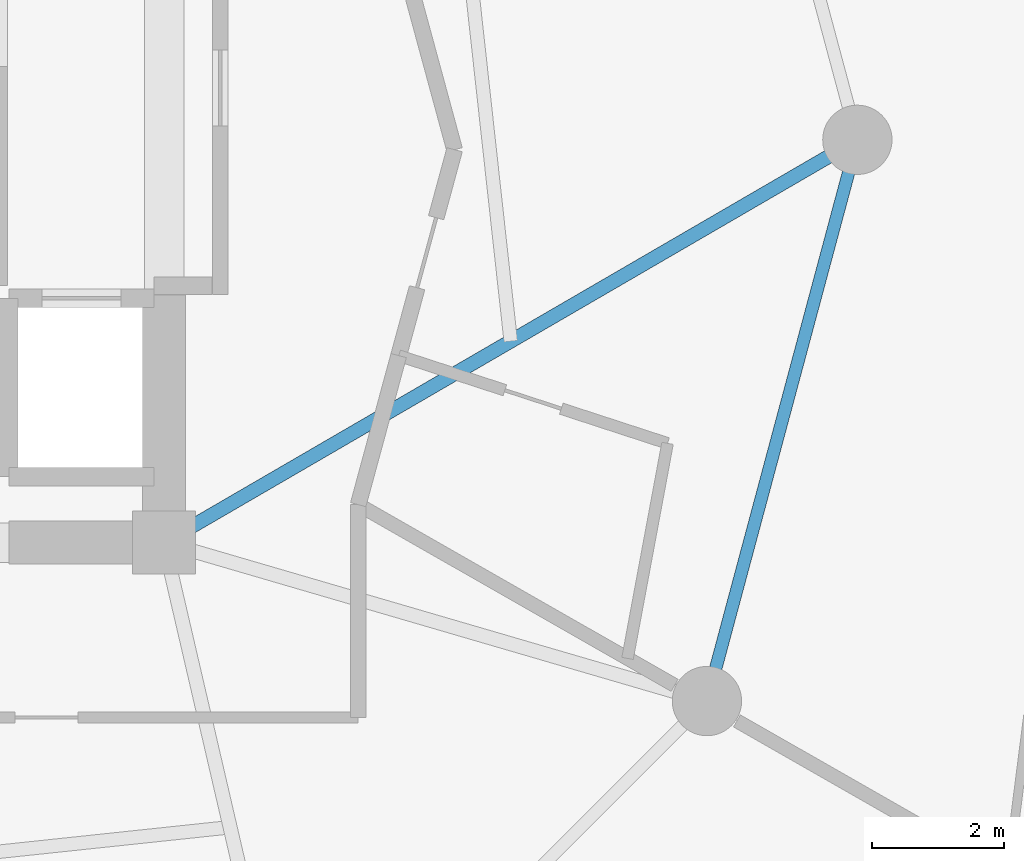
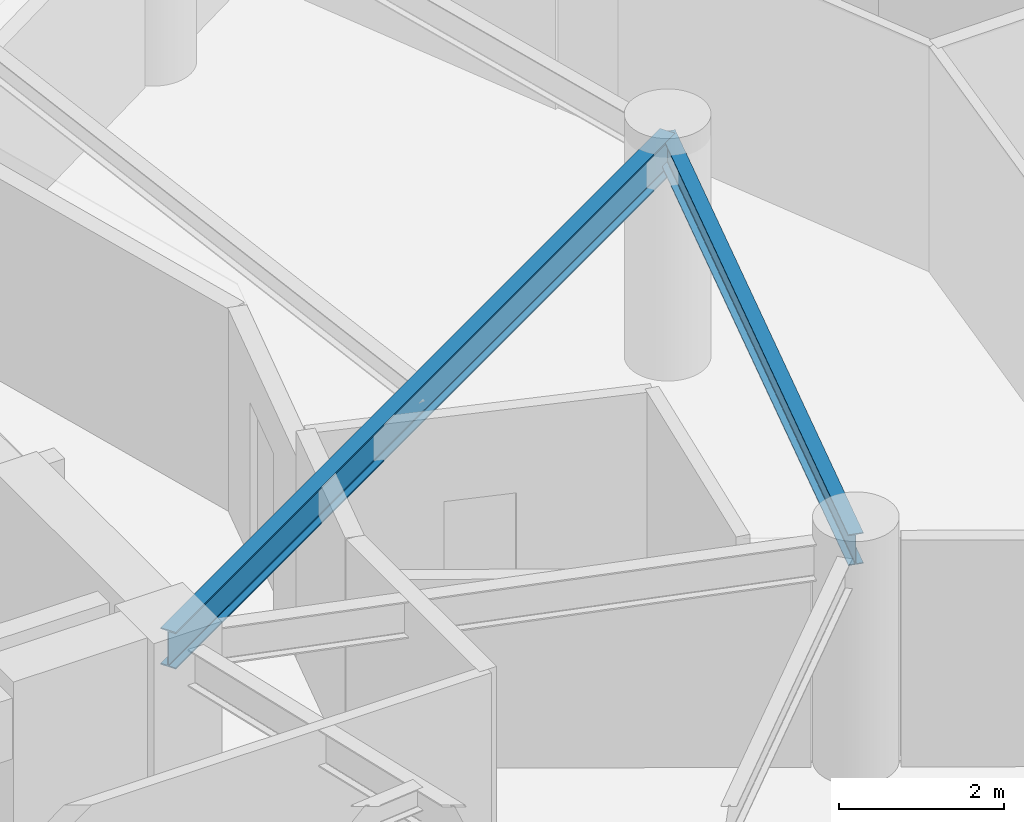
# One storey, part 9 of 22: 2 beams.
"""IFC4 building model written with IfcOpenShell, lengths in metres."""

from ifc_helpers import new_model, si_unit, direction, frame, origin, origin_2d, place, context, subcontext, project, spatial, i_section, extrude, material, material_profile, profile_set, type_object, element, save


model = new_model("IFC4")

# Units and contexts
model_context = context("Model", 3, precision=1e-05, world=origin(), true_north=direction((0.0, 1.0)))
body_context = subcontext(model_context, "Body", "Model", "MODEL_VIEW")
ifc_project = project(units=[si_unit("LENGTHUNIT", "METRE"), si_unit("AREAUNIT", "SQUARE_METRE"), si_unit("VOLUMEUNIT", "CUBIC_METRE"), si_unit("PLANEANGLEUNIT", "RADIAN"), si_unit("MASSUNIT", "GRAM", prefix="KILO")], contexts=[model_context])

# Site, building, storey
site_placement = place(None, origin())
site = spatial("IfcSite", under=ifc_project, at=site_placement, CompositionType="ELEMENT")
building_placement = place(site_placement, origin())
building = spatial("IfcBuilding", under=site, at=building_placement, Name="Solvirekh Grand Hotel", CompositionType="ELEMENT")
storey_placement = place(building_placement, frame((0.0, 0.0, 153.0)))
storey = spatial("IfcBuildingStorey", under=building, at=storey_placement, Name="L39", CompositionType="ELEMENT", Elevation=153.0)

# Beams
ifc_material = material(Name="Steel S355", Category="steel")
ifc_material_profile_1 = material_profile(ifc_material, i_section(OverallWidth=0.2119140625, OverallDepth=0.5439453125, WebThickness=0.011962890625, FlangeThickness=0.01904296875, FilletRadius=0.013916015625, at=origin_2d()), Name="W530X123")
ifc_profile_set_1 = profile_set([ifc_material_profile_1], Name="Steel S355")
beam_type_1 = type_object("IfcBeamType", Name="Beam_Radial_W530H", PredefinedType="BEAM", material=ifc_profile_set_1)
beam_1_placement = place(storey_placement, frame((6.5, -6.10009765625, 3.077880859375), z_axis=(0.864670076815, 0.50234018181, 0.0), x_axis=(-0.50234018181, 0.864670076815, 0.0)))
element("IfcBeam", 1, at=beam_1_placement, inside=storey, type_object=beam_type_1, Name="L39 radial floor beam R01", PredefinedType="BEAM", context=body_context, shape_type="SweptSolid", body=[
    extrude(i_section(OverallWidth=0.2119140625, OverallDepth=0.5439453125, WebThickness=0.011962890625, FlangeThickness=0.01904296875, FilletRadius=0.013916015625, at=origin_2d()), origin(), (0.0, 0.0, 1.0), 12.143310546875),
])
ifc_material_profile_2 = material_profile(ifc_material, i_section(OverallWidth=0.18994140625, OverallDepth=0.45703125, WebThickness=0.009033203125, FlangeThickness=0.013916015625, FilletRadius=0.012939453125, at=origin_2d()), Name="W460X74")
ifc_profile_set_2 = profile_set([ifc_material_profile_2], Name="Steel S355")
beam_type_2 = type_object("IfcBeamType", Name="Spandrel_Ring_W460", PredefinedType="SPANDREL", material=ifc_profile_set_2)
beam_2_placement = place(storey_placement, frame((14.721923828125, -8.5, 3.12109375), z_axis=(0.258872908946, 0.965911391906, 0.0), x_axis=(-0.965911391906, 0.258872908946, 0.0)))
element("IfcBeam", 2, at=beam_2_placement, inside=storey, type_object=beam_type_2, Name="L39 perimeter spandrel beam 12", PredefinedType="SPANDREL", context=body_context, shape_type="SweptSolid", body=[
    extrude(i_section(OverallWidth=0.18994140625, OverallDepth=0.45703125, WebThickness=0.009033203125, FlangeThickness=0.013916015625, FilletRadius=0.012939453125, at=origin_2d()), origin(), (0.0, 0.0, 1.0), 8.800048828125),
])

save(model, "model.ifc")
